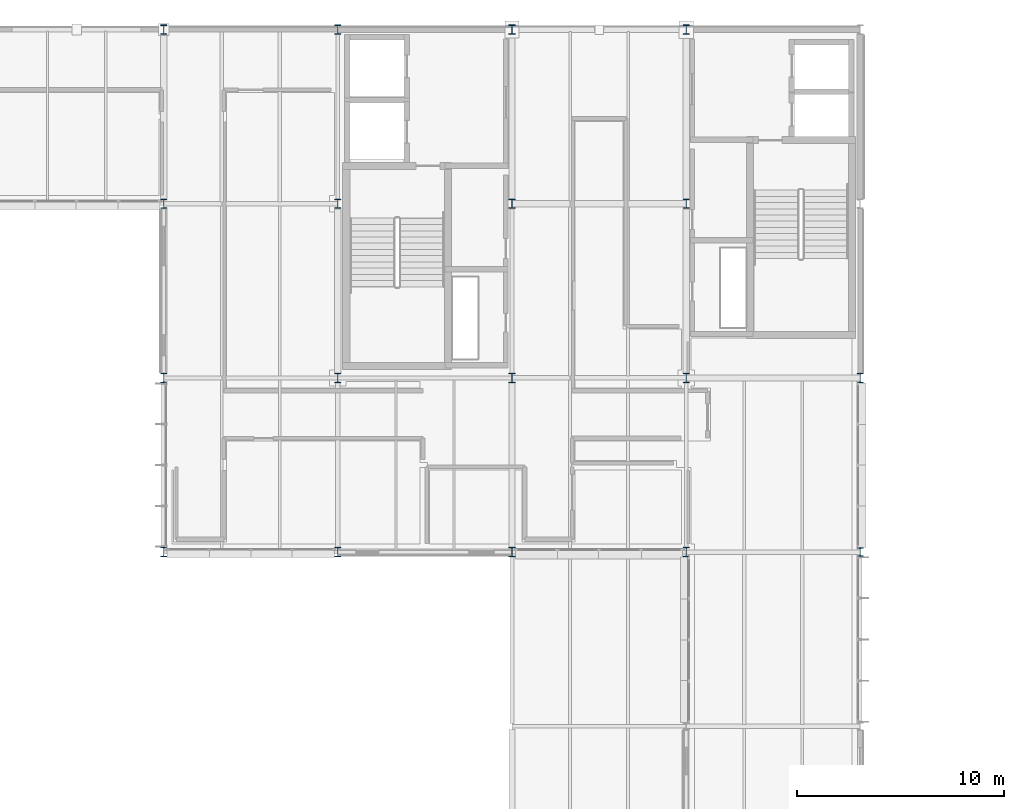
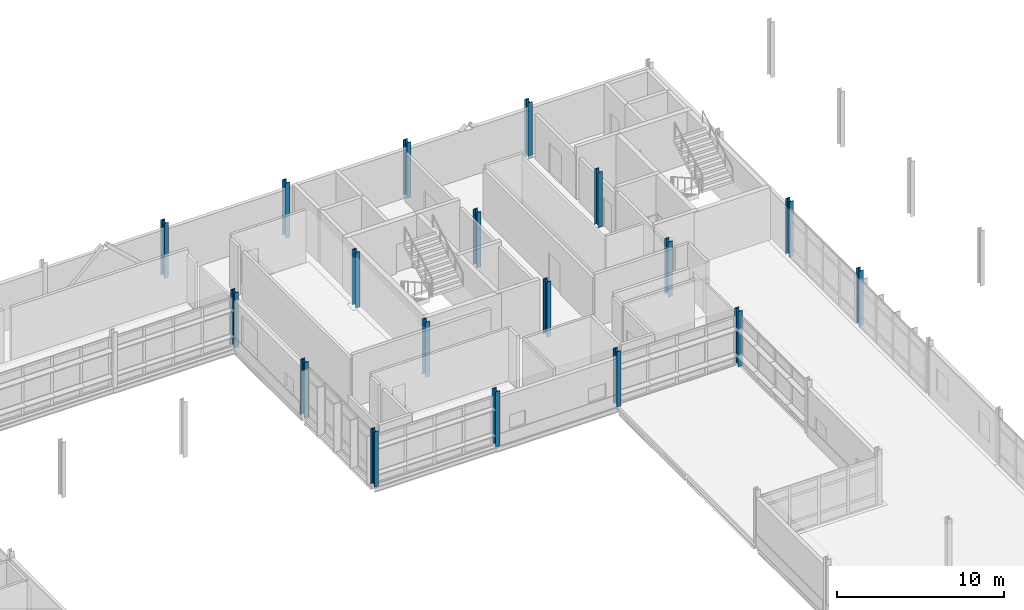
# One storey, part 11 of 103: 18 columns.
"""IFC4 building model written with IfcOpenShell, lengths in metres."""

import ifcopenshell
import ifcopenshell.guid

model = None  # the IFC model being written
_history = None  # IfcOwnerHistory: only IFC2X3 demands one
_inside = {}  # id of a spatial element -> (the spatial element, [elements in it])
_under = {}  # id of a project, library or spatial element -> (it, [spatial elements below it])
_declared = {}  # id of a project -> (the project, [libraries it declares])
_typed = {}  # id of a type object -> (the type object, [elements of that type])
_made_of = {}  # id of a material, layer set ... -> (it, [elements and type objects made of it])


def new_model(schema):
    """Start an empty IFC model of exactly this schema.

    Asked for "IFC4X3", IfcOpenShell would pick the latest addendum, in which some entities
    have other attributes; the version numbers below select the first issue.
    IFC2X3 requires an IfcOwnerHistory on every rooted entity: one is made here for all.
    """
    global model, _history
    if schema == "IFC4X3":
        model = ifcopenshell.file(schema_version=(4, 3, 0, 0))
    else:
        model = ifcopenshell.file(schema=schema)
    _inside.clear()
    _under.clear()
    _declared.clear()
    _typed.clear()
    _made_of.clear()
    _history = None
    if model.schema == "IFC2X3":
        org = make("IfcOrganization", Name="unknown")
        user = make(
            "IfcPersonAndOrganization",
            ThePerson=make("IfcPerson", FamilyName="unknown"),
            TheOrganization=org,
        )
        app = make(
            "IfcApplication",
            ApplicationDeveloper=org,
            Version="unknown",
            ApplicationFullName="unknown",
            ApplicationIdentifier="unknown",
        )
        _history = make(
            "IfcOwnerHistory",
            OwningUser=user,
            OwningApplication=app,
            ChangeAction="ADDED",
            CreationDate=0,
        )
    return model


def make(cls, **values):
    """One entity of the class cls with the attributes given. An attribute that is None is left unset."""
    return model.create_entity(
        cls, **{name: value for name, value in values.items() if value is not None}
    )


def rooted(cls, **values):
    """An entity with a GlobalId (a new one), such as an element, a storey or a relation."""
    return make(cls, GlobalId=ifcopenshell.guid.new(), OwnerHistory=_history, **values)


def si_unit(unit_type, name, prefix=None):
    """IfcSIUnit, for example si_unit("LENGTHUNIT", "METRE", prefix="MILLI")."""
    return make("IfcSIUnit", UnitType=unit_type, Prefix=prefix, Name=name)


def assignment(units):
    """IfcUnitAssignment: the units of a project."""
    return None if units is None else make("IfcUnitAssignment", Units=units)


def point(xyz):
    """IfcCartesianPoint."""
    return None if xyz is None else make("IfcCartesianPoint", Coordinates=xyz)


def direction(xyz):
    """IfcDirection."""
    return None if xyz is None else make("IfcDirection", DirectionRatios=xyz)


def frame(location, z_axis=None, x_axis=None):
    """IfcAxis2Placement3D, a coordinate frame: its origin and axes. An axis left out is left unset."""
    return make(
        "IfcAxis2Placement3D",
        Location=point(location),
        Axis=direction(z_axis),
        RefDirection=direction(x_axis),
    )


def frame_2d(location, x_axis=None):
    """IfcAxis2Placement2D, a coordinate frame in the plane: its origin and x axis."""
    return make(
        "IfcAxis2Placement2D", Location=point(location), RefDirection=direction(x_axis)
    )


def origin():
    """The frame at (0, 0, 0) with its axes left unset."""
    return frame((0.0, 0.0, 0.0))


def origin_2d():
    """The frame at (0, 0) in the plane with its x axis left unset."""
    return frame_2d((0.0, 0.0))


def place(relative_to, where):
    """IfcLocalPlacement: puts the frame where relative to a parent placement (None: the world)."""
    return make(
        "IfcLocalPlacement", PlacementRelTo=relative_to, RelativePlacement=where
    )


def context(
    kind, dimensions, precision=None, world=None, true_north=None, identifier=None
):
    """IfcGeometricRepresentationContext, for example the 3D "Model" context."""
    return make(
        "IfcGeometricRepresentationContext",
        ContextIdentifier=identifier,
        ContextType=kind,
        CoordinateSpaceDimension=dimensions,
        Precision=precision,
        WorldCoordinateSystem=world,
        TrueNorth=true_north,
    )


def subcontext(parent, identifier, kind, view, scale=None):
    """IfcGeometricRepresentationSubContext, for example "Body" below "Model"."""
    return make(
        "IfcGeometricRepresentationSubContext",
        ContextIdentifier=identifier,
        ContextType=kind,
        ParentContext=parent,
        TargetScale=scale,
        TargetView=view,
    )


def project(units=None, contexts=None):
    """IfcProject with its units and contexts."""
    return rooted(
        "IfcProject",
        Name="project",
        RepresentationContexts=contexts,
        UnitsInContext=assignment(units),
    )


def spatial(cls, under=None, at=None, **own):
    """A site, building, storey or space (cls), placed at a placement, below another one or the project."""
    s = rooted(cls, ObjectPlacement=at, **own)
    if under is not None:
        _under.setdefault(under.id(), (under, []))[1].append(s)
    return s


def profile(cls, at=None, kind="AREA", **sizes):
    """A parametric profile (cls). Its sizes go by their IFC names, for example OverallWidth=200.0."""
    return make(cls, ProfileType=kind, Position=at, **sizes)


def i_section(**sizes):
    """IfcIShapeProfileDef."""
    return profile("IfcIShapeProfileDef", **sizes)


def extrude(swept, where, along, depth):
    """IfcExtrudedAreaSolid: the profile swept, set in the frame where, extruded along a direction by depth."""
    return make(
        "IfcExtrudedAreaSolid",
        SweptArea=swept,
        Position=where,
        ExtrudedDirection=direction(along),
        Depth=depth,
    )


def shape(context_of_items, identifier, shape_type, items):
    """IfcShapeRepresentation: the items that make up one representation, for example the "Body"."""
    return make(
        "IfcShapeRepresentation",
        ContextOfItems=context_of_items,
        RepresentationIdentifier=identifier,
        RepresentationType=shape_type,
        Items=items,
    )


def material(Name=None, Category=None):
    """IfcMaterial."""
    return make("IfcMaterial", Name=Name, Category=Category)


def material_profile(
    of_material, cross_section, Name=None, Category=None, Priority=None
):
    """IfcMaterialProfile: a cross section and its material."""
    return make(
        "IfcMaterialProfile",
        Name=Name,
        Material=of_material,
        Profile=cross_section,
        Priority=Priority,
        Category=Category,
    )


def profile_set(profiles, Name=None, composite=None):
    """IfcMaterialProfileSet."""
    return make(
        "IfcMaterialProfileSet",
        Name=Name,
        MaterialProfiles=profiles,
        CompositeProfile=composite,
    )


def made_of(thing, what):
    """Note that an element or type object is made of a material, layer set ...; save() writes the relation."""
    if what is not None:
        _made_of.setdefault(what.id(), (what, []))[1].append(thing)
    return thing


def type_object(cls, material=None, **own):
    """A type object (cls), such as IfcWallType, which elements share."""
    return made_of(rooted(cls, **own), material)


def element(
    cls,
    number,
    at=None,
    inside=None,
    cuts=None,
    type_object=None,
    material=None,
    context=None,
    identifier="Body",
    shape_type=None,
    held_by="IfcProductDefinitionShape",
    body=None,
    shapes=None,
    **own,
):
    """One element of the class cls, such as IfcWall. Its Tag is "e" and its number.

    at: its placement. inside: the storey or other place that contains it. cuts: it is an
    opening in that element (IfcRelVoidsElement). A single representation is given by context,
    identifier, shape_type and body (its items); several are given by shapes. held_by: the class
    of the entity that holds the representations. save() writes the other relations.
    """
    e = rooted(cls, Tag="e%d" % number, ObjectPlacement=at, **own)
    if body is not None:
        shapes = [shape(context, identifier, shape_type, body)]
    if shapes is not None:
        e.Representation = make(held_by, Representations=shapes)
    if inside is not None:
        _inside.setdefault(inside.id(), (inside, []))[1].append(e)
    if cuts is not None:
        rooted(
            "IfcRelVoidsElement", RelatingBuildingElement=cuts, RelatedOpeningElement=e
        )
    if type_object is not None:
        _typed.setdefault(type_object.id(), (type_object, []))[1].append(e)
    return made_of(e, material)


def aggregate(whole, parts):
    """IfcRelAggregates: a whole, such as a stair, and the parts it consists of."""
    return rooted("IfcRelAggregates", RelatingObject=whole, RelatedObjects=parts)


def save(model, path):
    """Write the relations noted so far, then the file.

    IfcRelAggregates (storeys below a building ...), IfcRelContainedInSpatialStructure (elements
    in a storey), IfcRelDefinesByType, IfcRelAssociatesMaterial and IfcRelDeclares: one each for
    every whole, place, type object, material and project.
    """
    for whole, parts in _under.values():
        aggregate(whole, parts)
    for where, things in _inside.values():
        rooted(
            "IfcRelContainedInSpatialStructure",
            RelatedElements=things,
            RelatingStructure=where,
        )
    for kind, things in _typed.values():
        rooted("IfcRelDefinesByType", RelatedObjects=things, RelatingType=kind)
    for what, things in _made_of.values():
        rooted("IfcRelAssociatesMaterial", RelatedObjects=things, RelatingMaterial=what)
    for by, libraries in _declared.values():
        rooted("IfcRelDeclares", RelatingContext=by, RelatedDefinitions=libraries)
    model.write(path)


model = new_model("IFC4")

# Units and contexts
model_context = context("Model", 3, precision=1e-05, world=origin(), true_north=direction((0.0, 1.0)))
body_context = subcontext(model_context, "Body", "Model", "MODEL_VIEW")
ifc_project = project(units=[si_unit("LENGTHUNIT", "METRE"), si_unit("AREAUNIT", "SQUARE_METRE"), si_unit("VOLUMEUNIT", "CUBIC_METRE"), si_unit("PLANEANGLEUNIT", "RADIAN"), si_unit("MASSUNIT", "GRAM", prefix="KILO")], contexts=[model_context])

# Site, building, storey
site_placement = place(None, origin())
site = spatial("IfcSite", under=ifc_project, at=site_placement, CompositionType="ELEMENT")
building_placement = place(site_placement, origin())
building = spatial("IfcBuilding", under=site, at=building_placement, Name="Mersafa Astral City Hall", CompositionType="ELEMENT")
storey_placement = place(building_placement, frame((0.0, 0.0, 18.0)))
storey = spatial("IfcBuildingStorey", under=building, at=storey_placement, Name="L04", CompositionType="ELEMENT", Elevation=18.0)

# Columns
ifc_material = material(Name="Steel S355", Category="steel")
ifc_material_profile_1 = material_profile(ifc_material, i_section(OverallWidth=0.300048828125, OverallDepth=0.39990234375, WebThickness=0.013427734375, FlangeThickness=0.02392578125, FilletRadius=0.027099609375, at=origin_2d()), Name="HEB 400")
ifc_profile_set_1 = profile_set([ifc_material_profile_1], Name="Steel S355")
column_type_1 = type_object("IfcColumnType", Name="STR-COL-HEB400", PredefinedType="COLUMN", material=ifc_profile_set_1)
column_placement = place(storey_placement, frame((176.39990234375, 100.800048828125, 0.0), z_axis=(0.0, 0.0, 1.0), x_axis=(1.0, 0.0, 0.0)))
element("IfcColumn", 1, at=column_placement, inside=storey, type_object=column_type_1, Name="L04 Structural column G-21-12", PredefinedType="COLUMN", context=body_context, shape_type="SweptSolid", body=[
    extrude(i_section(OverallWidth=0.300048828125, OverallDepth=0.39990234375, WebThickness=0.013427734375, FlangeThickness=0.02392578125, FilletRadius=0.027099609375, at=origin_2d()), origin(), (0.0, 0.0, 1.0), 4.050048828125),
])
ifc_material_profile_2 = material_profile(ifc_material, i_section(OverallWidth=0.300048828125, OverallDepth=0.449951171875, WebThickness=0.013916015625, FlangeThickness=0.02587890625, FilletRadius=0.027099609375, at=origin_2d()), Name="HEB 450")
ifc_profile_set_2 = profile_set([ifc_material_profile_2], Name="Steel S355")
column_type_2 = type_object("IfcColumnType", Name="STR-COL-HEB450", PredefinedType="COLUMN", material=ifc_profile_set_2)
for number, where, z_axis, x_axis, name in (
    (2, (142.800048828125, 100.800048828125, 0.0), (0.0, 0.0, 1.0), (1.0, 0.0, 0.0), "L04 Structural column G-17-12"),
    (3, (142.800048828125, 109.199951171875, 0.0), (0.0, 0.0, 1.0), (1.0, 0.0, 0.0), "L04 Structural column G-17-13"),
    (4, (142.800048828125, 117.60009765625, 0.0), (0.0, 0.0, 1.0), (1.0, 0.0, 0.0), "L04 Structural column G-17-14"),
    (5, (142.800048828125, 126.0, 0.0), (0.0, 0.0, 1.0), (1.0, 0.0, 0.0), "L04 Structural column G-17-15"),
    (6, (151.199951171875, 100.800048828125, 0.0), (0.0, 0.0, 1.0), (1.0, 0.0, 0.0), "L04 Structural column G-18-12"),
    (7, (151.199951171875, 109.199951171875, 0.0), (0.0, 0.0, 1.0), (1.0, 0.0, 0.0), "L04 Structural column G-18-13"),
    (8, (151.199951171875, 117.60009765625, 0.0), (0.0, 0.0, 1.0), (1.0, 0.0, 0.0), "L04 Structural column G-18-14"),
    (9, (151.199951171875, 126.0, 0.0), (0.0, 0.0, 1.0), (1.0, 0.0, 0.0), "L04 Structural column G-18-15"),
    (10, (159.60009765625, 100.800048828125, 0.0), (0.0, 0.0, 1.0), (1.0, 0.0, 0.0), "L04 Structural column G-19-12"),
    (11, (159.60009765625, 109.199951171875, 0.0), (0.0, 0.0, 1.0), (1.0, 0.0, 0.0), "L04 Structural column G-19-13"),
    (12, (159.60009765625, 117.60009765625, 0.0), (0.0, 0.0, 1.0), (1.0, 0.0, 0.0), "L04 Structural column G-19-14"),
    (13, (159.60009765625, 126.0, 0.0), (0.0, 0.0, 1.0), (1.0, 0.0, 0.0), "L04 Structural column G-19-15"),
    (14, (168.0, 100.800048828125, 0.0), (0.0, 0.0, 1.0), (1.0, 0.0, 0.0), "L04 Structural column G-20-12"),
    (15, (168.0, 109.199951171875, 0.0), (0.0, 0.0, 1.0), (1.0, 0.0, 0.0), "L04 Structural column G-20-13"),
    (16, (168.0, 117.60009765625, 0.0), (0.0, 0.0, 1.0), (1.0, 0.0, 0.0), "L04 Structural column G-20-14"),
    (17, (168.0, 126.0, 0.0), (0.0, 0.0, 1.0), (1.0, 0.0, 0.0), "L04 Structural column G-20-15"),
    (18, (176.39990234375, 109.199951171875, 0.0), (0.0, 0.0, 1.0), (1.0, 0.0, 0.0), "L04 Structural column G-21-13"),
):
    element("IfcColumn", number, at=place(storey_placement, frame(where, z_axis=z_axis, x_axis=x_axis)), inside=storey, type_object=column_type_2, Name=name, PredefinedType="COLUMN", context=body_context, shape_type="SweptSolid", body=[
        extrude(i_section(OverallWidth=0.300048828125, OverallDepth=0.449951171875, WebThickness=0.013916015625, FlangeThickness=0.02587890625, FilletRadius=0.027099609375, at=origin_2d()), origin(), (0.0, 0.0, 1.0), 4.050048828125),
    ])

save(model, "model.ifc")
